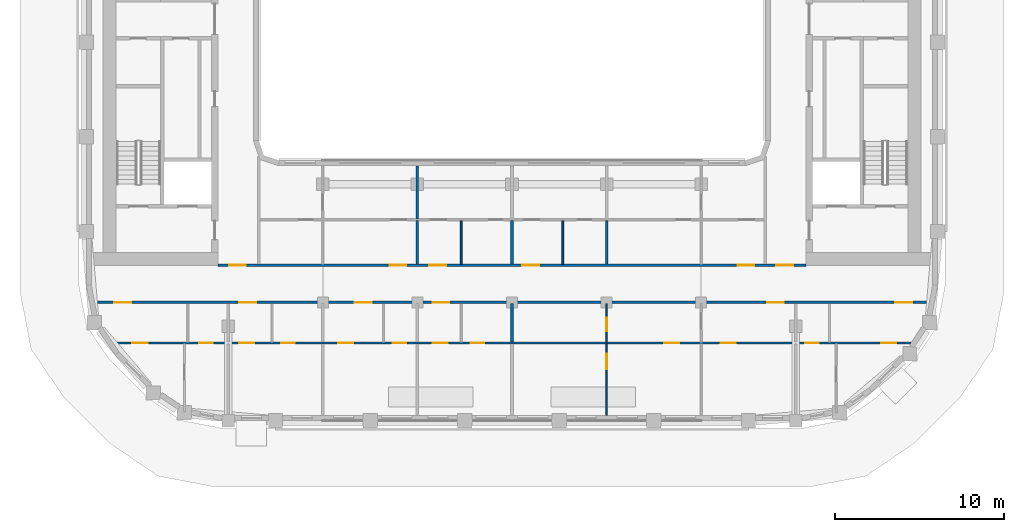
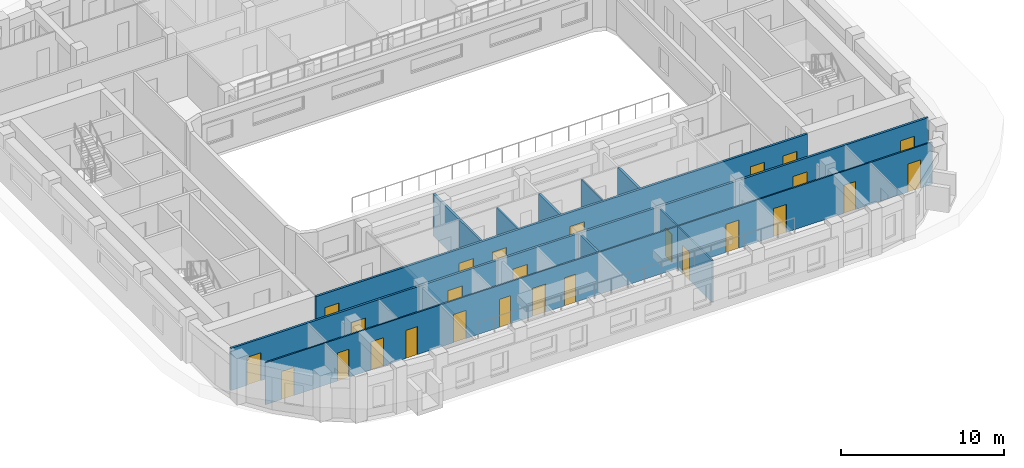
# One storey, part 3 of 16: 26 doors, 12 walls, 26 openings.
"""IFC4 building model written with IfcOpenShell, lengths in metres."""

from ifc_helpers import new_model, si_unit, direction, frame, frame_2d, origin, place, context, subcontext, project, spatial, rectangle, extrude, material, layer, layer_set, type_object, element, fill, save


model = new_model("IFC4")

# Units and contexts
model_context = context("Model", 3, precision=1e-05, world=origin(), true_north=direction((0.0, 1.0)))
body_context = subcontext(model_context, "Body", "Model", "MODEL_VIEW")
ifc_project = project(units=[si_unit("LENGTHUNIT", "METRE"), si_unit("AREAUNIT", "SQUARE_METRE"), si_unit("VOLUMEUNIT", "CUBIC_METRE"), si_unit("PLANEANGLEUNIT", "RADIAN"), si_unit("MASSUNIT", "GRAM", prefix="KILO")], contexts=[model_context])

# Site, building, storey
site_placement = place(None, origin())
site = spatial("IfcSite", under=ifc_project, at=site_placement, CompositionType="ELEMENT")
building_placement = place(site_placement, origin())
building = spatial("IfcBuilding", under=site, at=building_placement, Name="Kiln Ring Residences", CompositionType="ELEMENT")
storey_placement = place(building_placement, frame((0.0, 0.0, 227.39990234375)))
storey = spatial("IfcBuildingStorey", under=building, at=storey_placement, Name="L59", CompositionType="ELEMENT", Elevation=227.39990234375)

# Wall, openings, doors
ifc_material_1 = material(Name="Gypsum board on steel studs", Category="steel")
ifc_layer_1 = layer(ifc_material_1, 0.10009765625)
ifc_layer_set_1 = layer_set([ifc_layer_1], Name="PARTITION-100")
wall_type_1 = type_object("IfcWallType", Name="PARTITION-100", PredefinedType="PARTITIONING", material=ifc_layer_set_1)
wall_1_placement = place(storey_placement, frame((-23.593994140625, -17.800048828125, 0.0), z_axis=(0.0, 0.0, 1.0), x_axis=(1.0, 0.0, 0.0)))
wall_1 = element("IfcWall", 1, at=wall_1_placement, inside=storey, type_object=wall_type_1, Name="Partition 000", PredefinedType="PARTITIONING", context=body_context, shape_type="SweptSolid", body=[
    extrude(rectangle(XDim=47.18798828125, YDim=0.10009765625, at=frame_2d((23.593994140625, 0.0))), origin(), (0.0, 0.0, 1.0), 3.150146484375),
])
opening_1_placement = place(wall_1_placement, frame((5.093994140625, 0.0, 0.0)))
opening_1 = element("IfcOpeningElement", 2, at=opening_1_placement, cuts=wall_1, Name="Opening L59-D046", PredefinedType="OPENING", context=body_context, shape_type="SweptSolid", body=[
    extrude(rectangle(XDim=0.800048828125, YDim=2.10009765625, at=frame_2d((0.39990234375, 1.050048828125))), frame((0.0, 0.06005859375, 0.0), z_axis=(0.0, -1.0, 0.0), x_axis=(1.0, 0.0, 0.0)), (0.0, 0.0, 1.0), 0.1201171875),
])
opening_2_placement = place(wall_1_placement, frame((1.1259765625, 0.0, 0.0)))
opening_2 = element("IfcOpeningElement", 3, at=opening_2_placement, cuts=wall_1, Name="Opening L59-D047", PredefinedType="OPENING", context=body_context, shape_type="SweptSolid", body=[
    extrude(rectangle(XDim=0.89990234375, YDim=2.10009765625, at=frame_2d((0.449951171875, 1.050048828125))), frame((0.0, 0.06005859375, 0.0), z_axis=(0.0, -1.0, 0.0), x_axis=(1.0, 0.0, 0.0)), (0.0, 0.0, 1.0), 0.1201171875),
])
opening_3_placement = place(wall_1_placement, frame((9.944091796875, 0.0, 0.0)))
opening_3 = element("IfcOpeningElement", 4, at=opening_3_placement, cuts=wall_1, Name="Opening L59-D050", PredefinedType="OPENING", context=body_context, shape_type="SweptSolid", body=[
    extrude(rectangle(XDim=0.800048828125, YDim=2.10009765625, at=frame_2d((0.39990234375, 1.050048828125))), frame((0.0, 0.06005859375, 0.0), z_axis=(0.0, -1.0, 0.0), x_axis=(1.0, 0.0, 0.0)), (0.0, 0.0, 1.0), 0.1201171875),
])
opening_4_placement = place(wall_1_placement, frame((7.444091796875, 0.0, 0.0)))
opening_4 = element("IfcOpeningElement", 5, at=opening_4_placement, cuts=wall_1, Name="Opening L59-D051", PredefinedType="OPENING", context=body_context, shape_type="SweptSolid", body=[
    extrude(rectangle(XDim=0.89990234375, YDim=2.10009765625, at=frame_2d((0.449951171875, 1.050048828125))), frame((0.0, 0.06005859375, 0.0), z_axis=(0.0, -1.0, 0.0), x_axis=(1.0, 0.0, 0.0)), (0.0, 0.0, 1.0), 0.1201171875),
])
opening_5_placement = place(wall_1_placement, frame((16.5439453125, 0.0, 0.0)))
opening_5 = element("IfcOpeningElement", 6, at=opening_5_placement, cuts=wall_1, Name="Opening L59-D053", PredefinedType="OPENING", context=body_context, shape_type="SweptSolid", body=[
    extrude(rectangle(XDim=0.800048828125, YDim=2.10009765625, at=frame_2d((0.39990234375, 1.050048828125))), frame((0.0, 0.06005859375, 0.0), z_axis=(0.0, -1.0, 0.0), x_axis=(1.0, 0.0, 0.0)), (0.0, 0.0, 1.0), 0.1201171875),
])
opening_6_placement = place(wall_1_placement, frame((13.2939453125, 0.0, 0.0)))
opening_6 = element("IfcOpeningElement", 7, at=opening_6_placement, cuts=wall_1, Name="Opening L59-D054", PredefinedType="OPENING", context=body_context, shape_type="SweptSolid", body=[
    extrude(rectangle(XDim=0.89990234375, YDim=2.10009765625, at=frame_2d((0.449951171875, 1.050048828125))), frame((0.0, 0.06005859375, 0.0), z_axis=(0.0, -1.0, 0.0), x_axis=(1.0, 0.0, 0.0)), (0.0, 0.0, 1.0), 0.1201171875),
])
opening_7_placement = place(wall_1_placement, frame((21.14404296875, 0.0, 0.0)))
opening_7 = element("IfcOpeningElement", 8, at=opening_7_placement, cuts=wall_1, Name="Opening L59-D056", PredefinedType="OPENING", context=body_context, shape_type="SweptSolid", body=[
    extrude(rectangle(XDim=0.800048828125, YDim=2.10009765625, at=frame_2d((0.39990234375, 1.050048828125))), frame((0.0, 0.06005859375, 0.0), z_axis=(0.0, -1.0, 0.0), x_axis=(1.0, 0.0, 0.0)), (0.0, 0.0, 1.0), 0.1201171875),
])
opening_8_placement = place(wall_1_placement, frame((18.89404296875, 0.0, 0.0)))
opening_8 = element("IfcOpeningElement", 9, at=opening_8_placement, cuts=wall_1, Name="Opening L59-D057", PredefinedType="OPENING", context=body_context, shape_type="SweptSolid", body=[
    extrude(rectangle(XDim=0.89990234375, YDim=2.10009765625, at=frame_2d((0.449951171875, 1.050048828125))), frame((0.0, 0.06005859375, 0.0), z_axis=(0.0, -1.0, 0.0), x_axis=(1.0, 0.0, 0.0)), (0.0, 0.0, 1.0), 0.1201171875),
])
opening_9_placement = place(wall_1_placement, frame((35.944091796875, 0.0, 0.0)))
opening_9 = element("IfcOpeningElement", 10, at=opening_9_placement, cuts=wall_1, Name="Opening L59-D061", PredefinedType="OPENING", context=body_context, shape_type="SweptSolid", body=[
    extrude(rectangle(XDim=0.89990234375, YDim=2.10009765625, at=frame_2d((0.449951171875, 1.050048828125))), frame((0.0, 0.06005859375, 0.0), z_axis=(0.0, -1.0, 0.0), x_axis=(1.0, 0.0, 0.0)), (0.0, 0.0, 1.0), 0.1201171875),
])
opening_10_placement = place(wall_1_placement, frame((32.593994140625, 0.0, 0.0)))
opening_10 = element("IfcOpeningElement", 11, at=opening_10_placement, cuts=wall_1, Name="Opening L59-D062", PredefinedType="OPENING", context=body_context, shape_type="SweptSolid", body=[
    extrude(rectangle(XDim=0.89990234375, YDim=2.10009765625, at=frame_2d((0.449951171875, 1.050048828125))), frame((0.0, 0.06005859375, 0.0), z_axis=(0.0, -1.0, 0.0), x_axis=(1.0, 0.0, 0.0)), (0.0, 0.0, 1.0), 0.1201171875),
])
opening_11_placement = place(wall_1_placement, frame((40.944091796875, 0.0, 0.0)))
opening_11 = element("IfcOpeningElement", 12, at=opening_11_placement, cuts=wall_1, Name="Opening L59-D065", PredefinedType="OPENING", context=body_context, shape_type="SweptSolid", body=[
    extrude(rectangle(XDim=0.800048828125, YDim=2.10009765625, at=frame_2d((0.39990234375, 1.050048828125))), frame((0.0, 0.06005859375, 0.0), z_axis=(0.0, -1.0, 0.0), x_axis=(1.0, 0.0, 0.0)), (0.0, 0.0, 1.0), 0.1201171875),
])
opening_12_placement = place(wall_1_placement, frame((45.444091796875, 0.0, 0.0)))
opening_12 = element("IfcOpeningElement", 13, at=opening_12_placement, cuts=wall_1, Name="Opening L59-D066", PredefinedType="OPENING", context=body_context, shape_type="SweptSolid", body=[
    extrude(rectangle(XDim=0.89990234375, YDim=2.10009765625, at=frame_2d((0.449951171875, 1.050048828125))), frame((0.0, 0.06005859375, 0.0), z_axis=(0.0, -1.0, 0.0), x_axis=(1.0, 0.0, 0.0)), (0.0, 0.0, 1.0), 0.1201171875),
])
ifc_material_2 = material(Name="Timber door leaf", Category="wood")
door_type_1 = type_object("IfcDoorType", Name="FLAT-DOOR-800-PL", OperationType="SINGLE_SWING_LEFT", PredefinedType="DOOR", material=ifc_material_2)
door_1_placement = place(opening_1_placement, origin())
door_1 = element("IfcDoor", 14, at=door_1_placement, inside=storey, type_object=door_type_1, Name="Door L59-D046", OperationType="SINGLE_SWING_RIGHT", OverallHeight=2.10009765625, OverallWidth=0.800048828125, PredefinedType="DOOR", context=body_context, shape_type="SweptSolid", body=[
    extrude(rectangle(XDim=0.800048828125, YDim=2.10009765625, at=frame_2d((0.39990234375, 1.050048828125))), frame((0.0, 0.02490234375, 0.0), z_axis=(0.0, -1.0, 0.0), x_axis=(1.0, 0.0, 0.0)), (0.0, 0.0, 1.0), 0.050048828125),
])
fill(opening_1, door_1)
door_2_placement = place(opening_3_placement, origin())
door_2 = element("IfcDoor", 15, at=door_2_placement, inside=storey, type_object=door_type_1, Name="Door L59-D050", OperationType="SINGLE_SWING_RIGHT", OverallHeight=2.10009765625, OverallWidth=0.800048828125, PredefinedType="DOOR", context=body_context, shape_type="SweptSolid", body=[
    extrude(rectangle(XDim=0.800048828125, YDim=2.10009765625, at=frame_2d((0.39990234375, 1.050048828125))), frame((0.0, 0.02490234375, 0.0), z_axis=(0.0, -1.0, 0.0), x_axis=(1.0, 0.0, 0.0)), (0.0, 0.0, 1.0), 0.050048828125),
])
fill(opening_3, door_2)
door_3_placement = place(opening_5_placement, origin())
door_3 = element("IfcDoor", 16, at=door_3_placement, inside=storey, type_object=door_type_1, Name="Door L59-D053", OperationType="SINGLE_SWING_LEFT", OverallHeight=2.10009765625, OverallWidth=0.800048828125, PredefinedType="DOOR", context=body_context, shape_type="SweptSolid", body=[
    extrude(rectangle(XDim=0.800048828125, YDim=2.10009765625, at=frame_2d((0.39990234375, 1.050048828125))), frame((0.0, 0.02490234375, 0.0), z_axis=(0.0, -1.0, 0.0), x_axis=(1.0, 0.0, 0.0)), (0.0, 0.0, 1.0), 0.050048828125),
])
fill(opening_5, door_3)
door_4_placement = place(opening_7_placement, origin())
door_4 = element("IfcDoor", 17, at=door_4_placement, inside=storey, type_object=door_type_1, Name="Door L59-D056", OperationType="SINGLE_SWING_RIGHT", OverallHeight=2.10009765625, OverallWidth=0.800048828125, PredefinedType="DOOR", context=body_context, shape_type="SweptSolid", body=[
    extrude(rectangle(XDim=0.800048828125, YDim=2.10009765625, at=frame_2d((0.39990234375, 1.050048828125))), frame((0.0, 0.02490234375, 0.0), z_axis=(0.0, -1.0, 0.0), x_axis=(1.0, 0.0, 0.0)), (0.0, 0.0, 1.0), 0.050048828125),
])
fill(opening_7, door_4)
door_5_placement = place(opening_11_placement, origin())
door_5 = element("IfcDoor", 18, at=door_5_placement, inside=storey, type_object=door_type_1, Name="Door L59-D065", OperationType="SINGLE_SWING_LEFT", OverallHeight=2.10009765625, OverallWidth=0.800048828125, PredefinedType="DOOR", context=body_context, shape_type="SweptSolid", body=[
    extrude(rectangle(XDim=0.800048828125, YDim=2.10009765625, at=frame_2d((0.39990234375, 1.050048828125))), frame((0.0, 0.02490234375, 0.0), z_axis=(0.0, -1.0, 0.0), x_axis=(1.0, 0.0, 0.0)), (0.0, 0.0, 1.0), 0.050048828125),
])
fill(opening_11, door_5)
ifc_material_3 = material(Name="Timber door leaf", Category="wood")
door_type_2 = type_object("IfcDoorType", Name="FLAT-DOOR-900-PL", OperationType="SINGLE_SWING_LEFT", PredefinedType="DOOR", material=ifc_material_3)
door_6_placement = place(opening_2_placement, origin())
door_6 = element("IfcDoor", 19, at=door_6_placement, inside=storey, type_object=door_type_2, Name="Door L59-D047", OperationType="SINGLE_SWING_LEFT", OverallHeight=2.10009765625, OverallWidth=0.89990234375, PredefinedType="DOOR", context=body_context, shape_type="SweptSolid", body=[
    extrude(rectangle(XDim=0.89990234375, YDim=2.10009765625, at=frame_2d((0.449951171875, 1.050048828125))), frame((0.0, 0.02490234375, 0.0), z_axis=(0.0, -1.0, 0.0), x_axis=(1.0, 0.0, 0.0)), (0.0, 0.0, 1.0), 0.050048828125),
])
fill(opening_2, door_6)
door_7_placement = place(opening_4_placement, origin())
door_7 = element("IfcDoor", 20, at=door_7_placement, inside=storey, type_object=door_type_2, Name="Door L59-D051", OperationType="SINGLE_SWING_LEFT", OverallHeight=2.10009765625, OverallWidth=0.89990234375, PredefinedType="DOOR", context=body_context, shape_type="SweptSolid", body=[
    extrude(rectangle(XDim=0.89990234375, YDim=2.10009765625, at=frame_2d((0.449951171875, 1.050048828125))), frame((0.0, 0.02490234375, 0.0), z_axis=(0.0, -1.0, 0.0), x_axis=(1.0, 0.0, 0.0)), (0.0, 0.0, 1.0), 0.050048828125),
])
fill(opening_4, door_7)
door_8_placement = place(opening_6_placement, origin())
door_8 = element("IfcDoor", 21, at=door_8_placement, inside=storey, type_object=door_type_2, Name="Door L59-D054", OperationType="SINGLE_SWING_LEFT", OverallHeight=2.10009765625, OverallWidth=0.89990234375, PredefinedType="DOOR", context=body_context, shape_type="SweptSolid", body=[
    extrude(rectangle(XDim=0.89990234375, YDim=2.10009765625, at=frame_2d((0.449951171875, 1.050048828125))), frame((0.0, 0.02490234375, 0.0), z_axis=(0.0, -1.0, 0.0), x_axis=(1.0, 0.0, 0.0)), (0.0, 0.0, 1.0), 0.050048828125),
])
fill(opening_6, door_8)
door_9_placement = place(opening_8_placement, origin())
door_9 = element("IfcDoor", 22, at=door_9_placement, inside=storey, type_object=door_type_2, Name="Door L59-D057", OperationType="SINGLE_SWING_LEFT", OverallHeight=2.10009765625, OverallWidth=0.89990234375, PredefinedType="DOOR", context=body_context, shape_type="SweptSolid", body=[
    extrude(rectangle(XDim=0.89990234375, YDim=2.10009765625, at=frame_2d((0.449951171875, 1.050048828125))), frame((0.0, 0.02490234375, 0.0), z_axis=(0.0, -1.0, 0.0), x_axis=(1.0, 0.0, 0.0)), (0.0, 0.0, 1.0), 0.050048828125),
])
fill(opening_8, door_9)
door_10_placement = place(opening_9_placement, origin())
door_10 = element("IfcDoor", 23, at=door_10_placement, inside=storey, type_object=door_type_2, Name="Door L59-D061", OperationType="SINGLE_SWING_LEFT", OverallHeight=2.10009765625, OverallWidth=0.89990234375, PredefinedType="DOOR", context=body_context, shape_type="SweptSolid", body=[
    extrude(rectangle(XDim=0.89990234375, YDim=2.10009765625, at=frame_2d((0.449951171875, 1.050048828125))), frame((0.0, 0.02490234375, 0.0), z_axis=(0.0, -1.0, 0.0), x_axis=(1.0, 0.0, 0.0)), (0.0, 0.0, 1.0), 0.050048828125),
])
fill(opening_9, door_10)
door_11_placement = place(opening_10_placement, origin())
door_11 = element("IfcDoor", 24, at=door_11_placement, inside=storey, type_object=door_type_2, Name="Door L59-D062", OperationType="SINGLE_SWING_RIGHT", OverallHeight=2.10009765625, OverallWidth=0.89990234375, PredefinedType="DOOR", context=body_context, shape_type="SweptSolid", body=[
    extrude(rectangle(XDim=0.89990234375, YDim=2.10009765625, at=frame_2d((0.449951171875, 1.050048828125))), frame((0.0, 0.02490234375, 0.0), z_axis=(0.0, -1.0, 0.0), x_axis=(1.0, 0.0, 0.0)), (0.0, 0.0, 1.0), 0.050048828125),
])
fill(opening_10, door_11)
door_12_placement = place(opening_12_placement, origin())
door_12 = element("IfcDoor", 25, at=door_12_placement, inside=storey, type_object=door_type_2, Name="Door L59-D066", OperationType="SINGLE_SWING_RIGHT", OverallHeight=2.10009765625, OverallWidth=0.89990234375, PredefinedType="DOOR", context=body_context, shape_type="SweptSolid", body=[
    extrude(rectangle(XDim=0.89990234375, YDim=2.10009765625, at=frame_2d((0.449951171875, 1.050048828125))), frame((0.0, 0.02490234375, 0.0), z_axis=(0.0, -1.0, 0.0), x_axis=(1.0, 0.0, 0.0)), (0.0, 0.0, 1.0), 0.050048828125),
])
fill(opening_12, door_12)

# Walls
for number, where, z_axis, x_axis, name in (
    (26, (-3.0, -13.125, 0.0), (0.0, 0.0, 1.0), (0.0, 1.0, 0.0), "Partition 033"),
    (27, (3.0, -13.125, 0.0), (0.0, 0.0, 1.0), (0.0, 1.0, 0.0), "Partition 042"),
):
    element("IfcWall", number, at=place(storey_placement, frame(where, z_axis=z_axis, x_axis=x_axis)), inside=storey, type_object=wall_type_1, Name=name, PredefinedType="PARTITIONING", context=body_context, shape_type="SweptSolid", body=[
        extrude(rectangle(XDim=2.574951171875, YDim=0.10009765625, at=frame_2d((1.28759765625, 0.0))), origin(), (0.0, 0.0, 1.0), 3.150146484375),
    ])

# Wall, opening, door
wall_2_placement = place(storey_placement, frame((5.60009765625, -22.080078125, 0.0), z_axis=(0.0, 0.0, 1.0), x_axis=(0.0, 1.0, 0.0)))
wall_2 = element("IfcWall", 28, at=wall_2_placement, inside=storey, type_object=wall_type_1, Name="Partition 044", PredefinedType="PARTITIONING", context=body_context, shape_type="SweptSolid", body=[
    extrude(rectangle(XDim=4.22998046875, YDim=0.10009765625, at=frame_2d((2.114990234375, 0.0))), origin(), (0.0, 0.0, 1.0), 3.150146484375),
])
opening_13_placement = place(wall_2_placement, frame((2.72998046875, 0.0, 0.0)))
opening_13 = element("IfcOpeningElement", 29, at=opening_13_placement, cuts=wall_2, Name="Opening L59-D063", PredefinedType="OPENING", context=body_context, shape_type="SweptSolid", body=[
    extrude(rectangle(XDim=0.89990234375, YDim=2.10009765625, at=frame_2d((0.449951171875, 1.050048828125))), frame((0.0, 0.06005859375, 0.0), z_axis=(0.0, -1.0, 0.0), x_axis=(1.0, 0.0, 0.0)), (0.0, 0.0, 1.0), 0.1201171875),
])
door_13_placement = place(opening_13_placement, origin())
door_13 = element("IfcDoor", 30, at=door_13_placement, inside=storey, type_object=door_type_2, Name="Door L59-D063", OperationType="SINGLE_SWING_LEFT", OverallHeight=2.10009765625, OverallWidth=0.89990234375, PredefinedType="DOOR", context=body_context, shape_type="SweptSolid", body=[
    extrude(rectangle(XDim=0.89990234375, YDim=2.10009765625, at=frame_2d((0.449951171875, 1.050048828125))), frame((0.0, 0.02490234375, 0.0), z_axis=(0.0, -1.0, 0.0), x_axis=(1.0, 0.0, 0.0)), (0.0, 0.0, 1.0), 0.050048828125),
])
fill(opening_13, door_13)

wall_3_placement = place(storey_placement, frame((5.60009765625, -17.75, 0.0), z_axis=(0.0, 0.0, 1.0), x_axis=(0.0, 1.0, 0.0)))
wall_3 = element("IfcWall", 31, at=wall_3_placement, inside=storey, type_object=wall_type_1, Name="Partition 045", PredefinedType="PARTITIONING", context=body_context, shape_type="SweptSolid", body=[
    extrude(rectangle(XDim=2.27490234375, YDim=0.10009765625, at=frame_2d((1.137451171875, 0.0))), origin(), (0.0, 0.0, 1.0), 3.150146484375),
])
opening_14_placement = place(wall_3_placement, frame((0.64892578125, 0.0, 0.0)))
opening_14 = element("IfcOpeningElement", 32, at=opening_14_placement, cuts=wall_3, Name="Opening L59-D060", PredefinedType="OPENING", context=body_context, shape_type="SweptSolid", body=[
    extrude(rectangle(XDim=0.800048828125, YDim=2.10009765625, at=frame_2d((0.39990234375, 1.050048828125))), frame((0.0, 0.06005859375, 0.0), z_axis=(0.0, -1.0, 0.0), x_axis=(1.0, 0.0, 0.0)), (0.0, 0.0, 1.0), 0.1201171875),
])
door_14_placement = place(opening_14_placement, origin())
door_14 = element("IfcDoor", 33, at=door_14_placement, inside=storey, type_object=door_type_1, Name="Door L59-D060", OperationType="SINGLE_SWING_RIGHT", OverallHeight=2.10009765625, OverallWidth=0.800048828125, PredefinedType="DOOR", context=body_context, shape_type="SweptSolid", body=[
    extrude(rectangle(XDim=0.800048828125, YDim=2.10009765625, at=frame_2d((0.39990234375, 1.050048828125))), frame((0.0, 0.02490234375, 0.0), z_axis=(0.0, -1.0, 0.0), x_axis=(1.0, 0.0, 0.0)), (0.0, 0.0, 1.0), 0.050048828125),
])
fill(opening_14, door_14)

# Wall, openings, doors
ifc_material_4 = material(Name="Brick masonry partition", Category="masonry")
ifc_layer_2 = layer(ifc_material_4, 0.14990234375)
ifc_layer_set_2 = layer_set([ifc_layer_2], Name="PARTITION-150-ei60")
wall_type_2 = type_object("IfcWallType", Name="PARTITION-150-ei60", PredefinedType="PARTITIONING", material=ifc_layer_set_2)
wall_4_placement = place(storey_placement, frame((-24.683837890625, -15.39990234375, 0.0), z_axis=(0.0, 0.0, 1.0), x_axis=(1.0, 0.0, 0.0)))
wall_4 = element("IfcWall", 34, at=wall_4_placement, inside=storey, type_object=wall_type_2, Name="Partition 001", PredefinedType="PARTITIONING", context=body_context, shape_type="SweptSolid", body=[
    extrude(rectangle(XDim=49.36767578125, YDim=0.14990234375, at=frame_2d((24.683837890625, 0.0))), origin(), (0.0, 0.0, 1.0), 3.150146484375),
])
opening_15_placement = place(wall_4_placement, frame((1.142822265625, 0.0, 0.0)))
opening_15 = element("IfcOpeningElement", 35, at=opening_15_placement, cuts=wall_4, Name="Opening L59-D045", PredefinedType="OPENING", context=body_context, shape_type="SweptSolid", body=[
    extrude(rectangle(XDim=1.0, YDim=2.10009765625, at=frame_2d((0.5, 1.050048828125))), frame((0.0, 0.0849609375, 0.0), z_axis=(0.0, -1.0, 0.0), x_axis=(1.0, 0.0, 0.0)), (0.0, 0.0, 1.0), 0.169921875),
])
opening_16_placement = place(wall_4_placement, frame((8.53369140625, 0.0, 0.0)))
opening_16 = element("IfcOpeningElement", 36, at=opening_16_placement, cuts=wall_4, Name="Opening L59-D049", PredefinedType="OPENING", context=body_context, shape_type="SweptSolid", body=[
    extrude(rectangle(XDim=1.0, YDim=2.10009765625, at=frame_2d((0.5, 1.050048828125))), frame((0.0, 0.0849609375, 0.0), z_axis=(0.0, -1.0, 0.0), x_axis=(1.0, 0.0, 0.0)), (0.0, 0.0, 1.0), 0.169921875),
])
opening_17_placement = place(wall_4_placement, frame((15.3837890625, 0.0, 0.0)))
opening_17 = element("IfcOpeningElement", 37, at=opening_17_placement, cuts=wall_4, Name="Opening L59-D052", PredefinedType="OPENING", context=body_context, shape_type="SweptSolid", body=[
    extrude(rectangle(XDim=1.0, YDim=2.10009765625, at=frame_2d((0.5, 1.050048828125))), frame((0.0, 0.0849609375, 0.0), z_axis=(0.0, -1.0, 0.0), x_axis=(1.0, 0.0, 0.0)), (0.0, 0.0, 1.0), 0.169921875),
])
opening_18_placement = place(wall_4_placement, frame((19.98388671875, 0.0, 0.0)))
opening_18 = element("IfcOpeningElement", 38, at=opening_18_placement, cuts=wall_4, Name="Opening L59-D055", PredefinedType="OPENING", context=body_context, shape_type="SweptSolid", body=[
    extrude(rectangle(XDim=1.0, YDim=2.10009765625, at=frame_2d((0.5, 1.050048828125))), frame((0.0, 0.0849609375, 0.0), z_axis=(0.0, -1.0, 0.0), x_axis=(1.0, 0.0, 0.0)), (0.0, 0.0, 1.0), 0.169921875),
])
opening_19_placement = place(wall_4_placement, frame((39.78369140625, 0.0, 0.0)))
opening_19 = element("IfcOpeningElement", 39, at=opening_19_placement, cuts=wall_4, Name="Opening L59-D058", PredefinedType="OPENING", context=body_context, shape_type="SweptSolid", body=[
    extrude(rectangle(XDim=1.0, YDim=2.10009765625, at=frame_2d((0.5, 1.050048828125))), frame((0.0, 0.0849609375, 0.0), z_axis=(0.0, -1.0, 0.0), x_axis=(1.0, 0.0, 0.0)), (0.0, 0.0, 1.0), 0.169921875),
])
opening_20_placement = place(wall_4_placement, frame((47.3837890625, 0.0, 0.0)))
opening_20 = element("IfcOpeningElement", 40, at=opening_20_placement, cuts=wall_4, Name="Opening L59-D064", PredefinedType="OPENING", context=body_context, shape_type="SweptSolid", body=[
    extrude(rectangle(XDim=1.0, YDim=2.10009765625, at=frame_2d((0.5, 1.050048828125))), frame((0.0, 0.0849609375, 0.0), z_axis=(0.0, -1.0, 0.0), x_axis=(1.0, 0.0, 0.0)), (0.0, 0.0, 1.0), 0.169921875),
])
ifc_material_5 = material(Name="Steel faced fire door leaf", Category="steel")
door_type_3 = type_object("IfcDoorType", Name="FLAT-DOOR-1000-FR", OperationType="SINGLE_SWING_LEFT", PredefinedType="DOOR", material=ifc_material_5)
door_15_placement = place(opening_15_placement, origin())
door_15 = element("IfcDoor", 41, at=door_15_placement, inside=storey, type_object=door_type_3, Name="Door L59-D045", OperationType="SINGLE_SWING_LEFT", OverallHeight=2.10009765625, OverallWidth=1.0, PredefinedType="DOOR", context=body_context, shape_type="SweptSolid", body=[
    extrude(rectangle(XDim=1.0, YDim=2.10009765625, at=frame_2d((0.5, 1.050048828125))), frame((0.0, 0.02490234375, 0.0), z_axis=(0.0, -1.0, 0.0), x_axis=(1.0, 0.0, 0.0)), (0.0, 0.0, 1.0), 0.050048828125),
])
fill(opening_15, door_15)
door_16_placement = place(opening_16_placement, origin())
door_16 = element("IfcDoor", 42, at=door_16_placement, inside=storey, type_object=door_type_3, Name="Door L59-D049", OperationType="SINGLE_SWING_LEFT", OverallHeight=2.10009765625, OverallWidth=1.0, PredefinedType="DOOR", context=body_context, shape_type="SweptSolid", body=[
    extrude(rectangle(XDim=1.0, YDim=2.10009765625, at=frame_2d((0.5, 1.050048828125))), frame((0.0, 0.02490234375, 0.0), z_axis=(0.0, -1.0, 0.0), x_axis=(1.0, 0.0, 0.0)), (0.0, 0.0, 1.0), 0.050048828125),
])
fill(opening_16, door_16)
door_17_placement = place(opening_17_placement, origin())
door_17 = element("IfcDoor", 43, at=door_17_placement, inside=storey, type_object=door_type_3, Name="Door L59-D052", OperationType="SINGLE_SWING_RIGHT", OverallHeight=2.10009765625, OverallWidth=1.0, PredefinedType="DOOR", context=body_context, shape_type="SweptSolid", body=[
    extrude(rectangle(XDim=1.0, YDim=2.10009765625, at=frame_2d((0.5, 1.050048828125))), frame((0.0, 0.02490234375, 0.0), z_axis=(0.0, -1.0, 0.0), x_axis=(1.0, 0.0, 0.0)), (0.0, 0.0, 1.0), 0.050048828125),
])
fill(opening_17, door_17)
door_18_placement = place(opening_18_placement, origin())
door_18 = element("IfcDoor", 44, at=door_18_placement, inside=storey, type_object=door_type_3, Name="Door L59-D055", OperationType="SINGLE_SWING_LEFT", OverallHeight=2.10009765625, OverallWidth=1.0, PredefinedType="DOOR", context=body_context, shape_type="SweptSolid", body=[
    extrude(rectangle(XDim=1.0, YDim=2.10009765625, at=frame_2d((0.5, 1.050048828125))), frame((0.0, 0.02490234375, 0.0), z_axis=(0.0, -1.0, 0.0), x_axis=(1.0, 0.0, 0.0)), (0.0, 0.0, 1.0), 0.050048828125),
])
fill(opening_18, door_18)
door_19_placement = place(opening_19_placement, origin())
door_19 = element("IfcDoor", 45, at=door_19_placement, inside=storey, type_object=door_type_3, Name="Door L59-D058", OperationType="SINGLE_SWING_RIGHT", OverallHeight=2.10009765625, OverallWidth=1.0, PredefinedType="DOOR", context=body_context, shape_type="SweptSolid", body=[
    extrude(rectangle(XDim=1.0, YDim=2.10009765625, at=frame_2d((0.5, 1.050048828125))), frame((0.0, 0.02490234375, 0.0), z_axis=(0.0, -1.0, 0.0), x_axis=(1.0, 0.0, 0.0)), (0.0, 0.0, 1.0), 0.050048828125),
])
fill(opening_19, door_19)
door_20_placement = place(opening_20_placement, origin())
door_20 = element("IfcDoor", 46, at=door_20_placement, inside=storey, type_object=door_type_3, Name="Door L59-D064", OperationType="SINGLE_SWING_RIGHT", OverallHeight=2.10009765625, OverallWidth=1.0, PredefinedType="DOOR", context=body_context, shape_type="SweptSolid", body=[
    extrude(rectangle(XDim=1.0, YDim=2.10009765625, at=frame_2d((0.5, 1.050048828125))), frame((0.0, 0.02490234375, 0.0), z_axis=(0.0, -1.0, 0.0), x_axis=(1.0, 0.0, 0.0)), (0.0, 0.0, 1.0), 0.050048828125),
])
fill(opening_20, door_20)

wall_5_placement = place(storey_placement, frame((-17.39990234375, -13.199951171875, 0.0), z_axis=(0.0, 0.0, 1.0), x_axis=(1.0, 0.0, 0.0)))
wall_5 = element("IfcWall", 47, at=wall_5_placement, inside=storey, type_object=wall_type_2, Name="Partition 002", PredefinedType="PARTITIONING", context=body_context, shape_type="SweptSolid", body=[
    extrude(rectangle(XDim=34.7998046875, YDim=0.14990234375, at=frame_2d((17.39990234375, 0.0))), origin(), (0.0, 0.0, 1.0), 3.150146484375),
])
opening_21_placement = place(wall_5_placement, frame((0.64990234375, 0.0, 0.0)))
opening_21 = element("IfcOpeningElement", 48, at=opening_21_placement, cuts=wall_5, Name="Opening L59-D003", PredefinedType="OPENING", context=body_context, shape_type="SweptSolid", body=[
    extrude(rectangle(XDim=1.0, YDim=2.10009765625, at=frame_2d((0.5, 1.050048828125))), frame((0.0, 0.0849609375, 0.0), z_axis=(0.0, -1.0, 0.0), x_axis=(1.0, 0.0, 0.0)), (0.0, 0.0, 1.0), 0.169921875),
])
opening_22_placement = place(wall_5_placement, frame((33.050048828125, 0.0, 0.0)))
opening_22 = element("IfcOpeningElement", 49, at=opening_22_placement, cuts=wall_5, Name="Opening L59-D004", PredefinedType="OPENING", context=body_context, shape_type="SweptSolid", body=[
    extrude(rectangle(XDim=1.0, YDim=2.10009765625, at=frame_2d((0.5, 1.050048828125))), frame((0.0, 0.0849609375, 0.0), z_axis=(0.0, -1.0, 0.0), x_axis=(1.0, 0.0, 0.0)), (0.0, 0.0, 1.0), 0.169921875),
])
opening_23_placement = place(wall_5_placement, frame((10.14990234375, 0.0, 0.0)))
opening_23 = element("IfcOpeningElement", 50, at=opening_23_placement, cuts=wall_5, Name="Opening L59-D031", PredefinedType="OPENING", context=body_context, shape_type="SweptSolid", body=[
    extrude(rectangle(XDim=1.0, YDim=2.10009765625, at=frame_2d((0.5, 1.050048828125))), frame((0.0, 0.0849609375, 0.0), z_axis=(0.0, -1.0, 0.0), x_axis=(1.0, 0.0, 0.0)), (0.0, 0.0, 1.0), 0.169921875),
])
opening_24_placement = place(wall_5_placement, frame((12.5, 0.0, 0.0)))
opening_24 = element("IfcOpeningElement", 51, at=opening_24_placement, cuts=wall_5, Name="Opening L59-D035", PredefinedType="OPENING", context=body_context, shape_type="SweptSolid", body=[
    extrude(rectangle(XDim=1.0, YDim=2.10009765625, at=frame_2d((0.5, 1.050048828125))), frame((0.0, 0.0849609375, 0.0), z_axis=(0.0, -1.0, 0.0), x_axis=(1.0, 0.0, 0.0)), (0.0, 0.0, 1.0), 0.169921875),
])
opening_25_placement = place(wall_5_placement, frame((18.0, 0.0, 0.0)))
opening_25 = element("IfcOpeningElement", 52, at=opening_25_placement, cuts=wall_5, Name="Opening L59-D038", PredefinedType="OPENING", context=body_context, shape_type="SweptSolid", body=[
    extrude(rectangle(XDim=1.0, YDim=2.10009765625, at=frame_2d((0.5, 1.050048828125))), frame((0.0, 0.0849609375, 0.0), z_axis=(0.0, -1.0, 0.0), x_axis=(1.0, 0.0, 0.0)), (0.0, 0.0, 1.0), 0.169921875),
])
opening_26_placement = place(wall_5_placement, frame((30.75, 0.0, 0.0)))
opening_26 = element("IfcOpeningElement", 53, at=opening_26_placement, cuts=wall_5, Name="Opening L59-D041", PredefinedType="OPENING", context=body_context, shape_type="SweptSolid", body=[
    extrude(rectangle(XDim=1.0, YDim=2.10009765625, at=frame_2d((0.5, 1.050048828125))), frame((0.0, 0.0849609375, 0.0), z_axis=(0.0, -1.0, 0.0), x_axis=(1.0, 0.0, 0.0)), (0.0, 0.0, 1.0), 0.169921875),
])
door_21_placement = place(opening_21_placement, origin())
door_21 = element("IfcDoor", 54, at=door_21_placement, inside=storey, type_object=door_type_3, Name="Door L59-D003", OperationType="SINGLE_SWING_RIGHT", OverallHeight=2.10009765625, OverallWidth=1.0, PredefinedType="DOOR", context=body_context, shape_type="SweptSolid", body=[
    extrude(rectangle(XDim=1.0, YDim=2.10009765625, at=frame_2d((0.5, 1.050048828125))), frame((0.0, 0.02490234375, 0.0), z_axis=(0.0, -1.0, 0.0), x_axis=(1.0, 0.0, 0.0)), (0.0, 0.0, 1.0), 0.050048828125),
])
fill(opening_21, door_21)
door_22_placement = place(opening_22_placement, origin())
door_22 = element("IfcDoor", 55, at=door_22_placement, inside=storey, type_object=door_type_3, Name="Door L59-D004", OperationType="SINGLE_SWING_LEFT", OverallHeight=2.10009765625, OverallWidth=1.0, PredefinedType="DOOR", context=body_context, shape_type="SweptSolid", body=[
    extrude(rectangle(XDim=1.0, YDim=2.10009765625, at=frame_2d((0.5, 1.050048828125))), frame((0.0, 0.02490234375, 0.0), z_axis=(0.0, -1.0, 0.0), x_axis=(1.0, 0.0, 0.0)), (0.0, 0.0, 1.0), 0.050048828125),
])
fill(opening_22, door_22)
door_23_placement = place(opening_23_placement, origin())
door_23 = element("IfcDoor", 56, at=door_23_placement, inside=storey, type_object=door_type_3, Name="Door L59-D031", OperationType="SINGLE_SWING_LEFT", OverallHeight=2.10009765625, OverallWidth=1.0, PredefinedType="DOOR", context=body_context, shape_type="SweptSolid", body=[
    extrude(rectangle(XDim=1.0, YDim=2.10009765625, at=frame_2d((0.5, 1.050048828125))), frame((0.0, 0.02490234375, 0.0), z_axis=(0.0, -1.0, 0.0), x_axis=(1.0, 0.0, 0.0)), (0.0, 0.0, 1.0), 0.050048828125),
])
fill(opening_23, door_23)
door_24_placement = place(opening_24_placement, origin())
door_24 = element("IfcDoor", 57, at=door_24_placement, inside=storey, type_object=door_type_3, Name="Door L59-D035", OperationType="SINGLE_SWING_LEFT", OverallHeight=2.10009765625, OverallWidth=1.0, PredefinedType="DOOR", context=body_context, shape_type="SweptSolid", body=[
    extrude(rectangle(XDim=1.0, YDim=2.10009765625, at=frame_2d((0.5, 1.050048828125))), frame((0.0, 0.02490234375, 0.0), z_axis=(0.0, -1.0, 0.0), x_axis=(1.0, 0.0, 0.0)), (0.0, 0.0, 1.0), 0.050048828125),
])
fill(opening_24, door_24)
door_25_placement = place(opening_25_placement, origin())
door_25 = element("IfcDoor", 58, at=door_25_placement, inside=storey, type_object=door_type_3, Name="Door L59-D038", OperationType="SINGLE_SWING_RIGHT", OverallHeight=2.10009765625, OverallWidth=1.0, PredefinedType="DOOR", context=body_context, shape_type="SweptSolid", body=[
    extrude(rectangle(XDim=1.0, YDim=2.10009765625, at=frame_2d((0.5, 1.050048828125))), frame((0.0, 0.02490234375, 0.0), z_axis=(0.0, -1.0, 0.0), x_axis=(1.0, 0.0, 0.0)), (0.0, 0.0, 1.0), 0.050048828125),
])
fill(opening_25, door_25)
door_26_placement = place(opening_26_placement, origin())
door_26 = element("IfcDoor", 59, at=door_26_placement, inside=storey, type_object=door_type_3, Name="Door L59-D041", OperationType="SINGLE_SWING_LEFT", OverallHeight=2.10009765625, OverallWidth=1.0, PredefinedType="DOOR", context=body_context, shape_type="SweptSolid", body=[
    extrude(rectangle(XDim=1.0, YDim=2.10009765625, at=frame_2d((0.5, 1.050048828125))), frame((0.0, 0.02490234375, 0.0), z_axis=(0.0, -1.0, 0.0), x_axis=(1.0, 0.0, 0.0)), (0.0, 0.0, 1.0), 0.050048828125),
])
fill(opening_26, door_26)

# Walls
wall_6_placement = place(storey_placement, frame((-5.60009765625, -13.125, 0.0), z_axis=(0.0, 0.0, 1.0), x_axis=(0.0, 1.0, 0.0)))
element("IfcWall", 60, at=wall_6_placement, inside=storey, type_object=wall_type_2, Name="Partition 028", PredefinedType="PARTITIONING", context=body_context, shape_type="SweptSolid", body=[
    extrude(rectangle(XDim=2.574951171875, YDim=0.14990234375, at=frame_2d((1.28759765625, 0.0))), origin(), (0.0, 0.0, 1.0), 3.150146484375),
])
wall_7_placement = place(storey_placement, frame((-5.60009765625, -10.449951171875, 0.0), z_axis=(0.0, 0.0, 1.0), x_axis=(0.0, 1.0, 0.0)))
element("IfcWall", 61, at=wall_7_placement, inside=storey, type_object=wall_type_2, Name="Partition 029", PredefinedType="PARTITIONING", context=body_context, shape_type="SweptSolid", body=[
    extrude(rectangle(XDim=3.1298828125, YDim=0.14990234375, at=frame_2d((1.56494140625, 0.0))), origin(), (0.0, 0.0, 1.0), 3.150146484375),
])
wall_8_placement = place(storey_placement, frame((0.0, -17.75, 0.0), z_axis=(0.0, 0.0, 1.0), x_axis=(0.0, 1.0, 0.0)))
element("IfcWall", 62, at=wall_8_placement, inside=storey, type_object=wall_type_2, Name="Partition 039", PredefinedType="PARTITIONING", context=body_context, shape_type="SweptSolid", body=[
    extrude(rectangle(XDim=2.27490234375, YDim=0.14990234375, at=frame_2d((1.137451171875, 0.0))), origin(), (0.0, 0.0, 1.0), 3.150146484375),
])
for number, where, z_axis, x_axis, name in (
    (63, (0.0, -13.125, 0.0), (0.0, 0.0, 1.0), (0.0, 1.0, 0.0), "Partition 040"),
    (64, (5.60009765625, -13.125, 0.0), (0.0, 0.0, 1.0), (0.0, 1.0, 0.0), "Partition 047"),
):
    element("IfcWall", number, at=place(storey_placement, frame(where, z_axis=z_axis, x_axis=x_axis)), inside=storey, type_object=wall_type_2, Name=name, PredefinedType="PARTITIONING", context=body_context, shape_type="SweptSolid", body=[
        extrude(rectangle(XDim=2.574951171875, YDim=0.14990234375, at=frame_2d((1.28759765625, 0.0))), origin(), (0.0, 0.0, 1.0), 3.150146484375),
    ])

save(model, "model.ifc")
